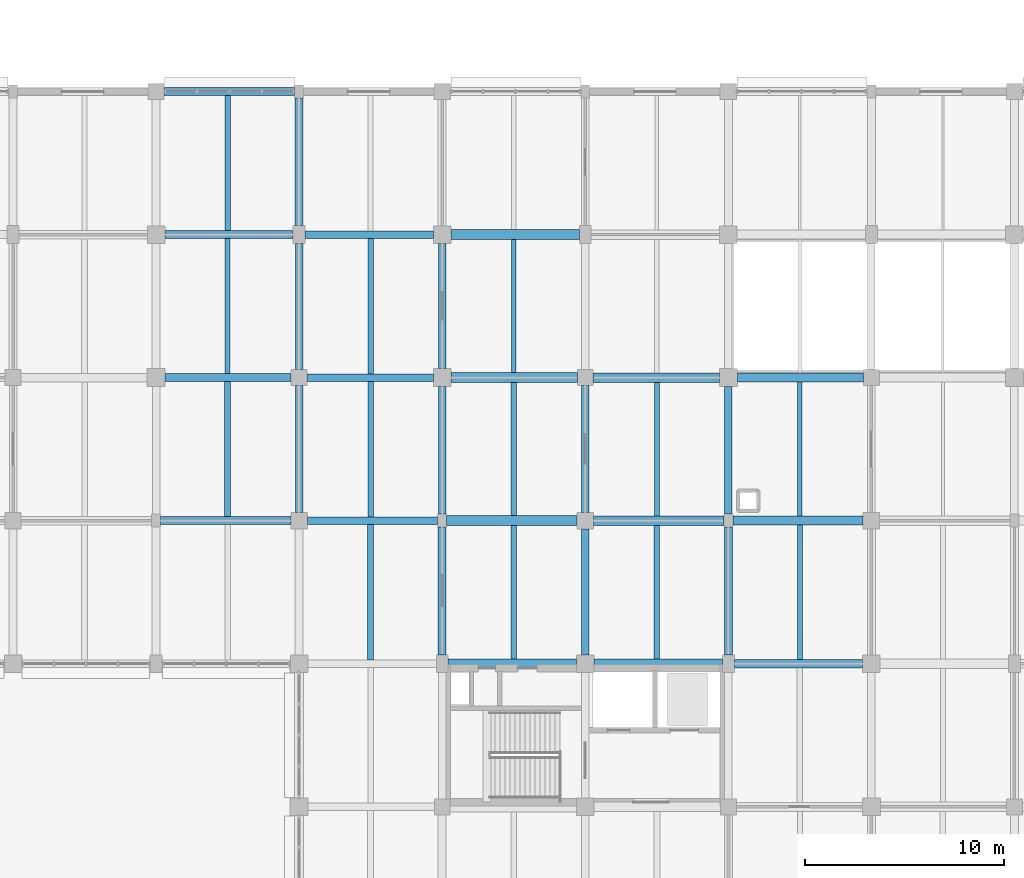
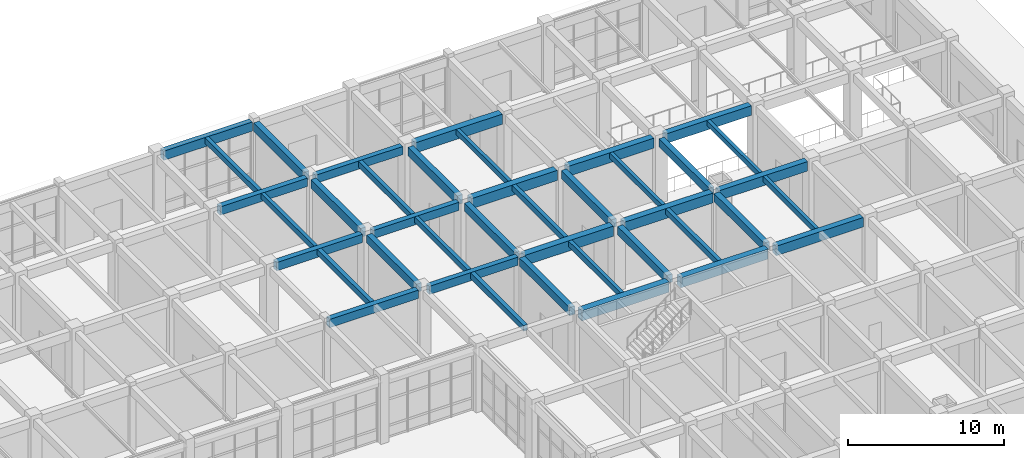
# One storey, part 103 of 160: 40 beams.
"""IFC4 building model written with IfcOpenShell, lengths in metres."""

import ifcopenshell
import ifcopenshell.guid

model = None  # the IFC model being written
_history = None  # IfcOwnerHistory: only IFC2X3 demands one
_inside = {}  # id of a spatial element -> (the spatial element, [elements in it])
_under = {}  # id of a project, library or spatial element -> (it, [spatial elements below it])
_declared = {}  # id of a project -> (the project, [libraries it declares])
_typed = {}  # id of a type object -> (the type object, [elements of that type])
_made_of = {}  # id of a material, layer set ... -> (it, [elements and type objects made of it])


def new_model(schema):
    """Start an empty IFC model of exactly this schema.

    Asked for "IFC4X3", IfcOpenShell would pick the latest addendum, in which some entities
    have other attributes; the version numbers below select the first issue.
    IFC2X3 requires an IfcOwnerHistory on every rooted entity: one is made here for all.
    """
    global model, _history
    if schema == "IFC4X3":
        model = ifcopenshell.file(schema_version=(4, 3, 0, 0))
    else:
        model = ifcopenshell.file(schema=schema)
    _inside.clear()
    _under.clear()
    _declared.clear()
    _typed.clear()
    _made_of.clear()
    _history = None
    if model.schema == "IFC2X3":
        org = make("IfcOrganization", Name="unknown")
        user = make(
            "IfcPersonAndOrganization",
            ThePerson=make("IfcPerson", FamilyName="unknown"),
            TheOrganization=org,
        )
        app = make(
            "IfcApplication",
            ApplicationDeveloper=org,
            Version="unknown",
            ApplicationFullName="unknown",
            ApplicationIdentifier="unknown",
        )
        _history = make(
            "IfcOwnerHistory",
            OwningUser=user,
            OwningApplication=app,
            ChangeAction="ADDED",
            CreationDate=0,
        )
    return model


def make(cls, **values):
    """One entity of the class cls with the attributes given. An attribute that is None is left unset."""
    return model.create_entity(
        cls, **{name: value for name, value in values.items() if value is not None}
    )


def rooted(cls, **values):
    """An entity with a GlobalId (a new one), such as an element, a storey or a relation."""
    return make(cls, GlobalId=ifcopenshell.guid.new(), OwnerHistory=_history, **values)


def si_unit(unit_type, name, prefix=None):
    """IfcSIUnit, for example si_unit("LENGTHUNIT", "METRE", prefix="MILLI")."""
    return make("IfcSIUnit", UnitType=unit_type, Prefix=prefix, Name=name)


def assignment(units):
    """IfcUnitAssignment: the units of a project."""
    return None if units is None else make("IfcUnitAssignment", Units=units)


def point(xyz):
    """IfcCartesianPoint."""
    return None if xyz is None else make("IfcCartesianPoint", Coordinates=xyz)


def direction(xyz):
    """IfcDirection."""
    return None if xyz is None else make("IfcDirection", DirectionRatios=xyz)


def frame(location, z_axis=None, x_axis=None):
    """IfcAxis2Placement3D, a coordinate frame: its origin and axes. An axis left out is left unset."""
    return make(
        "IfcAxis2Placement3D",
        Location=point(location),
        Axis=direction(z_axis),
        RefDirection=direction(x_axis),
    )


def frame_2d(location, x_axis=None):
    """IfcAxis2Placement2D, a coordinate frame in the plane: its origin and x axis."""
    return make(
        "IfcAxis2Placement2D", Location=point(location), RefDirection=direction(x_axis)
    )


def origin():
    """The frame at (0, 0, 0) with its axes left unset."""
    return frame((0.0, 0.0, 0.0))


def origin_2d():
    """The frame at (0, 0) in the plane with its x axis left unset."""
    return frame_2d((0.0, 0.0))


def place(relative_to, where):
    """IfcLocalPlacement: puts the frame where relative to a parent placement (None: the world)."""
    return make(
        "IfcLocalPlacement", PlacementRelTo=relative_to, RelativePlacement=where
    )


def context(
    kind, dimensions, precision=None, world=None, true_north=None, identifier=None
):
    """IfcGeometricRepresentationContext, for example the 3D "Model" context."""
    return make(
        "IfcGeometricRepresentationContext",
        ContextIdentifier=identifier,
        ContextType=kind,
        CoordinateSpaceDimension=dimensions,
        Precision=precision,
        WorldCoordinateSystem=world,
        TrueNorth=true_north,
    )


def subcontext(parent, identifier, kind, view, scale=None):
    """IfcGeometricRepresentationSubContext, for example "Body" below "Model"."""
    return make(
        "IfcGeometricRepresentationSubContext",
        ContextIdentifier=identifier,
        ContextType=kind,
        ParentContext=parent,
        TargetScale=scale,
        TargetView=view,
    )


def project(units=None, contexts=None):
    """IfcProject with its units and contexts."""
    return rooted(
        "IfcProject",
        Name="project",
        RepresentationContexts=contexts,
        UnitsInContext=assignment(units),
    )


def spatial(cls, under=None, at=None, **own):
    """A site, building, storey or space (cls), placed at a placement, below another one or the project."""
    s = rooted(cls, ObjectPlacement=at, **own)
    if under is not None:
        _under.setdefault(under.id(), (under, []))[1].append(s)
    return s


def profile(cls, at=None, kind="AREA", **sizes):
    """A parametric profile (cls). Its sizes go by their IFC names, for example OverallWidth=200.0."""
    return make(cls, ProfileType=kind, Position=at, **sizes)


def rectangle(**sizes):
    """IfcRectangleProfileDef."""
    return profile("IfcRectangleProfileDef", **sizes)


def extrude(swept, where, along, depth):
    """IfcExtrudedAreaSolid: the profile swept, set in the frame where, extruded along a direction by depth."""
    return make(
        "IfcExtrudedAreaSolid",
        SweptArea=swept,
        Position=where,
        ExtrudedDirection=direction(along),
        Depth=depth,
    )


def shape(context_of_items, identifier, shape_type, items):
    """IfcShapeRepresentation: the items that make up one representation, for example the "Body"."""
    return make(
        "IfcShapeRepresentation",
        ContextOfItems=context_of_items,
        RepresentationIdentifier=identifier,
        RepresentationType=shape_type,
        Items=items,
    )


def material(Name=None, Category=None):
    """IfcMaterial."""
    return make("IfcMaterial", Name=Name, Category=Category)


def material_profile(
    of_material, cross_section, Name=None, Category=None, Priority=None
):
    """IfcMaterialProfile: a cross section and its material."""
    return make(
        "IfcMaterialProfile",
        Name=Name,
        Material=of_material,
        Profile=cross_section,
        Priority=Priority,
        Category=Category,
    )


def profile_set(profiles, Name=None, composite=None):
    """IfcMaterialProfileSet."""
    return make(
        "IfcMaterialProfileSet",
        Name=Name,
        MaterialProfiles=profiles,
        CompositeProfile=composite,
    )


def made_of(thing, what):
    """Note that an element or type object is made of a material, layer set ...; save() writes the relation."""
    if what is not None:
        _made_of.setdefault(what.id(), (what, []))[1].append(thing)
    return thing


def type_object(cls, material=None, **own):
    """A type object (cls), such as IfcWallType, which elements share."""
    return made_of(rooted(cls, **own), material)


def element(
    cls,
    number,
    at=None,
    inside=None,
    cuts=None,
    type_object=None,
    material=None,
    context=None,
    identifier="Body",
    shape_type=None,
    held_by="IfcProductDefinitionShape",
    body=None,
    shapes=None,
    **own,
):
    """One element of the class cls, such as IfcWall. Its Tag is "e" and its number.

    at: its placement. inside: the storey or other place that contains it. cuts: it is an
    opening in that element (IfcRelVoidsElement). A single representation is given by context,
    identifier, shape_type and body (its items); several are given by shapes. held_by: the class
    of the entity that holds the representations. save() writes the other relations.
    """
    e = rooted(cls, Tag="e%d" % number, ObjectPlacement=at, **own)
    if body is not None:
        shapes = [shape(context, identifier, shape_type, body)]
    if shapes is not None:
        e.Representation = make(held_by, Representations=shapes)
    if inside is not None:
        _inside.setdefault(inside.id(), (inside, []))[1].append(e)
    if cuts is not None:
        rooted(
            "IfcRelVoidsElement", RelatingBuildingElement=cuts, RelatedOpeningElement=e
        )
    if type_object is not None:
        _typed.setdefault(type_object.id(), (type_object, []))[1].append(e)
    return made_of(e, material)


def aggregate(whole, parts):
    """IfcRelAggregates: a whole, such as a stair, and the parts it consists of."""
    return rooted("IfcRelAggregates", RelatingObject=whole, RelatedObjects=parts)


def save(model, path):
    """Write the relations noted so far, then the file.

    IfcRelAggregates (storeys below a building ...), IfcRelContainedInSpatialStructure (elements
    in a storey), IfcRelDefinesByType, IfcRelAssociatesMaterial and IfcRelDeclares: one each for
    every whole, place, type object, material and project.
    """
    for whole, parts in _under.values():
        aggregate(whole, parts)
    for where, things in _inside.values():
        rooted(
            "IfcRelContainedInSpatialStructure",
            RelatedElements=things,
            RelatingStructure=where,
        )
    for kind, things in _typed.values():
        rooted("IfcRelDefinesByType", RelatedObjects=things, RelatingType=kind)
    for what, things in _made_of.values():
        rooted("IfcRelAssociatesMaterial", RelatedObjects=things, RelatingMaterial=what)
    for by, libraries in _declared.values():
        rooted("IfcRelDeclares", RelatingContext=by, RelatedDefinitions=libraries)
    model.write(path)


model = new_model("IFC4")

# Units and contexts
model_context = context("Model", 3, precision=1e-05, world=origin(), true_north=direction((0.0, 1.0)))
body_context = subcontext(model_context, "Body", "Model", "MODEL_VIEW")
ifc_project = project(units=[si_unit("LENGTHUNIT", "METRE"), si_unit("AREAUNIT", "SQUARE_METRE"), si_unit("VOLUMEUNIT", "CUBIC_METRE"), si_unit("PLANEANGLEUNIT", "RADIAN"), si_unit("MASSUNIT", "GRAM", prefix="KILO")], contexts=[model_context])

# Site, building, storey
site_placement = place(None, origin())
site = spatial("IfcSite", under=ifc_project, at=site_placement, CompositionType="ELEMENT")
building_placement = place(site_placement, origin())
building = spatial("IfcBuilding", under=site, at=building_placement, Name="Thalmaran Polytechnic", CompositionType="ELEMENT")
storey_placement = place(building_placement, origin())
storey = spatial("IfcBuildingStorey", under=building, at=storey_placement, Name="L00", CompositionType="ELEMENT", Elevation=0.0)

# Beams
ifc_material = material(Name="Concrete C40/50", Category="concrete")
ifc_material_profile_1 = material_profile(ifc_material, rectangle(XDim=0.5, YDim=0.800048828125, at=origin_2d()), Name="RC 500x800")
ifc_profile_set_1 = profile_set([ifc_material_profile_1], Name="Concrete C40/50")
beam_type_1 = type_object("IfcBeamType", Name="BM-RC02", PredefinedType="BEAM", material=ifc_profile_set_1)
beam_1_placement = place(storey_placement, frame((137.10009765625, 93.60009765625, 4.68994140625), z_axis=(1.0, 0.0, 0.0), x_axis=(0.0, 1.0, 0.0)))
element("IfcBeam", 1, at=beam_1_placement, inside=storey, type_object=beam_type_1, Name="Grid Beam B02 L00 X(19,13)", PredefinedType="BEAM", context=body_context, shape_type="SweptSolid", body=[
    extrude(rectangle(XDim=0.5, YDim=0.800048828125, at=origin_2d()), origin(), (0.0, 0.0, 1.0), 6.4599609375),
])
beam_2_placement = place(storey_placement, frame((137.02490234375, 100.800048828125, 4.68994140625), z_axis=(1.0, 0.0, 0.0), x_axis=(0.0, 1.0, 0.0)))
element("IfcBeam", 2, at=beam_2_placement, inside=storey, type_object=beam_type_1, Name="Grid Beam B02 L00 X(19,14)", PredefinedType="BEAM", context=body_context, shape_type="SweptSolid", body=[
    extrude(rectangle(XDim=0.5, YDim=0.800048828125, at=origin_2d()), origin(), (0.0, 0.0, 1.0), 6.565185546875),
])
beam_3_placement = place(storey_placement, frame((137.25, 108.0, 4.68994140625), z_axis=(1.0, 0.0, 0.0), x_axis=(0.0, 1.0, 0.0)))
element("IfcBeam", 3, at=beam_3_placement, inside=storey, type_object=beam_type_1, Name="Grid Beam B02 L00 X(19,15)", PredefinedType="BEAM", context=body_context, shape_type="SweptSolid", body=[
    extrude(rectangle(XDim=0.5, YDim=0.800048828125, at=origin_2d()), origin(), (0.0, 0.0, 1.0), 6.35009765625),
])
beam_4_placement = place(storey_placement, frame((137.239990234375, 115.199951171875, 4.68994140625), z_axis=(1.0, 0.0, 0.0), x_axis=(0.0, 1.0, 0.0)))
element("IfcBeam", 4, at=beam_4_placement, inside=storey, type_object=beam_type_1, Name="Grid Beam B02 L00 X(19,16)", PredefinedType="BEAM", context=body_context, shape_type="SweptSolid", body=[
    extrude(rectangle(XDim=0.5, YDim=0.800048828125, at=origin_2d()), origin(), (0.0, 0.0, 1.0), 6.4599609375),
])
ifc_material_profile_2 = material_profile(ifc_material, rectangle(XDim=0.449951171875, YDim=0.75, at=origin_2d()), Name="RC 450x750")
ifc_profile_set_2 = profile_set([ifc_material_profile_2], Name="Concrete C40/50")
beam_type_2 = type_object("IfcBeamType", Name="BM-RC03", PredefinedType="BEAM", material=ifc_profile_set_2)
beam_5_placement = place(storey_placement, frame((151.5, 93.60009765625, 4.715087890625), z_axis=(1.0, 0.0, 0.0), x_axis=(0.0, 1.0, 0.0)))
element("IfcBeam", 5, at=beam_5_placement, inside=storey, type_object=beam_type_2, Name="Grid Beam B03 L00 X(21,13)", PredefinedType="BEAM", context=body_context, shape_type="SweptSolid", body=[
    extrude(rectangle(XDim=0.449951171875, YDim=0.75, at=origin_2d()), origin(), (0.0, 0.0, 1.0), 6.4599609375),
])
beam_6_placement = place(storey_placement, frame((151.425048828125, 100.800048828125, 4.715087890625), z_axis=(1.0, 0.0, 0.0), x_axis=(0.0, 1.0, 0.0)))
element("IfcBeam", 6, at=beam_6_placement, inside=storey, type_object=beam_type_2, Name="Grid Beam B03 L00 X(21,14)", PredefinedType="BEAM", context=body_context, shape_type="SweptSolid", body=[
    extrude(rectangle(XDim=0.449951171875, YDim=0.75, at=origin_2d()), origin(), (0.0, 0.0, 1.0), 6.56494140625),
])
beam_7_placement = place(storey_placement, frame((151.64990234375, 108.0, 4.715087890625), z_axis=(1.0, 0.0, 0.0), x_axis=(0.0, 1.0, 0.0)))
element("IfcBeam", 7, at=beam_7_placement, inside=storey, type_object=beam_type_2, Name="Grid Beam B03 L00 X(21,15)", PredefinedType="BEAM", context=body_context, shape_type="SweptSolid", body=[
    extrude(rectangle(XDim=0.449951171875, YDim=0.75, at=origin_2d()), origin(), (0.0, 0.0, 1.0), 6.35009765625),
])
ifc_material_profile_3 = material_profile(ifc_material, rectangle(XDim=0.39990234375, YDim=0.64990234375, at=origin_2d()), Name="RC 400x650")
ifc_profile_set_3 = profile_set([ifc_material_profile_3], Name="Concrete C40/50")
beam_type_3 = type_object("IfcBeamType", Name="BM-RC06", PredefinedType="BEAM", material=ifc_profile_set_3)
beam_8_placement = place(storey_placement, frame((122.625, 100.800048828125, 4.764892578125), z_axis=(1.0, 0.0, 0.0), x_axis=(0.0, 1.0, 0.0)))
element("IfcBeam", 8, at=beam_8_placement, inside=storey, type_object=beam_type_3, Name="Grid Beam B06 L00 X(17,14)", PredefinedType="BEAM", context=body_context, shape_type="SweptSolid", body=[
    extrude(rectangle(XDim=0.39990234375, YDim=0.64990234375, at=origin_2d()), origin(), (0.0, 0.0, 1.0), 6.56494140625),
])
beam_9_placement = place(storey_placement, frame((122.85009765625, 108.0, 4.764892578125), z_axis=(1.0, 0.0, 0.0), x_axis=(0.0, 1.0, 0.0)))
element("IfcBeam", 9, at=beam_9_placement, inside=storey, type_object=beam_type_3, Name="Grid Beam B06 L00 X(17,15)", PredefinedType="BEAM", context=body_context, shape_type="SweptSolid", body=[
    extrude(rectangle(XDim=0.39990234375, YDim=0.64990234375, at=origin_2d()), origin(), (0.0, 0.0, 1.0), 6.349853515625),
])
beam_10_placement = place(storey_placement, frame((122.840087890625, 115.199951171875, 4.764892578125), z_axis=(1.0, 0.0, 0.0), x_axis=(0.0, 1.0, 0.0)))
element("IfcBeam", 10, at=beam_10_placement, inside=storey, type_object=beam_type_3, Name="Grid Beam B06 L00 X(17,16)", PredefinedType="BEAM", context=body_context, shape_type="SweptSolid", body=[
    extrude(rectangle(XDim=0.39990234375, YDim=0.64990234375, at=origin_2d()), origin(), (0.0, 0.0, 1.0), 6.4599609375),
])
ifc_material_profile_4 = material_profile(ifc_material, rectangle(XDim=0.39990234375, YDim=0.6298828125, at=origin_2d()), Name="RC 400x630")
ifc_profile_set_4 = profile_set([ifc_material_profile_4], Name="Concrete C40/50")
beam_type_4 = type_object("IfcBeamType", Name="BM-RC07", PredefinedType="BEAM", material=ifc_profile_set_4)
beam_11_placement = place(storey_placement, frame((136.800048828125, 94.050048828125, 4.77490234375), z_axis=(0.0, 1.0, 0.0), x_axis=(-1.0, 0.0, 0.0)))
element("IfcBeam", 11, at=beam_11_placement, inside=storey, type_object=beam_type_4, Name="Grid Beam B07 L00 Y(19,13)", PredefinedType="BEAM", context=body_context, shape_type="SweptSolid", body=[
    extrude(rectangle(XDim=0.39990234375, YDim=0.6298828125, at=origin_2d()), origin(), (0.0, 0.0, 1.0), 6.425048828125),
])
beam_12_placement = place(storey_placement, frame((144.0, 94.0400390625, 4.77490234375), z_axis=(0.0, 1.0, 0.0), x_axis=(-1.0, 0.0, 0.0)))
element("IfcBeam", 12, at=beam_12_placement, inside=storey, type_object=beam_type_4, Name="Grid Beam B07 L00 Y(20,13)", PredefinedType="BEAM", context=body_context, shape_type="SweptSolid", body=[
    extrude(rectangle(XDim=0.39990234375, YDim=0.6298828125, at=origin_2d()), origin(), (0.0, 0.0, 1.0), 6.349853515625),
])
beam_13_placement = place(storey_placement, frame((151.199951171875, 94.050048828125, 4.77490234375), z_axis=(0.0, 1.0, 0.0), x_axis=(-1.0, 0.0, 0.0)))
element("IfcBeam", 13, at=beam_13_placement, inside=storey, type_object=beam_type_4, Name="Grid Beam B07 L00 Y(21,13)", PredefinedType="BEAM", context=body_context, shape_type="SweptSolid", body=[
    extrude(rectangle(XDim=0.39990234375, YDim=0.6298828125, at=origin_2d()), origin(), (0.0, 0.0, 1.0), 6.425048828125),
])
ifc_material_profile_5 = material_profile(ifc_material, rectangle(XDim=0.389892578125, YDim=0.68505859375, at=origin_2d()), Name="RC 390x685")
ifc_profile_set_5 = profile_set([ifc_material_profile_5], Name="Concrete C40/50")
beam_type_5 = type_object("IfcBeamType", Name="BM-RC08", PredefinedType="BEAM", material=ifc_profile_set_5)
beam_14_placement = place(storey_placement, frame((129.60009765625, 108.39990234375, 4.74755859375), z_axis=(0.0, 1.0, 0.0), x_axis=(-1.0, 0.0, 0.0)))
element("IfcBeam", 14, at=beam_14_placement, inside=storey, type_object=beam_type_5, Name="Grid Beam B08 L00 Y(18,15)", PredefinedType="BEAM", context=body_context, shape_type="SweptSolid", body=[
    extrude(rectangle(XDim=0.389892578125, YDim=0.68505859375, at=origin_2d()), origin(), (0.0, 0.0, 1.0), 6.35009765625),
])
beam_15_placement = place(storey_placement, frame((136.800048828125, 108.449951171875, 4.74755859375), z_axis=(0.0, 1.0, 0.0), x_axis=(-1.0, 0.0, 0.0)))
element("IfcBeam", 15, at=beam_15_placement, inside=storey, type_object=beam_type_5, Name="Grid Beam B08 L00 Y(19,15)", PredefinedType="BEAM", context=body_context, shape_type="SweptSolid", body=[
    extrude(rectangle(XDim=0.389892578125, YDim=0.68505859375, at=origin_2d()), origin(), (0.0, 0.0, 1.0), 6.31005859375),
])
ifc_material_profile_6 = material_profile(ifc_material, rectangle(XDim=0.300048828125, YDim=0.449951171875, at=origin_2d()), Name="RC 300x450")
ifc_profile_set_6 = profile_set([ifc_material_profile_6], Name="Concrete C40/50")
beam_type_6 = type_object("IfcBeamType", Name="BM-RC12", PredefinedType="JOIST", material=ifc_profile_set_6)
beam_16_placement = place(storey_placement, frame((126.0, 101.0, 4.864990234375), z_axis=(0.0, 1.0, 0.0), x_axis=(-1.0, 0.0, 0.0)))
element("IfcBeam", 16, at=beam_16_placement, inside=storey, type_object=beam_type_6, Name="Secondary Floor Rib RB02 L00 (17,14)", PredefinedType="JOIST", context=body_context, shape_type="SweptSolid", body=[
    extrude(rectangle(XDim=0.300048828125, YDim=0.449951171875, at=origin_2d()), origin(), (0.0, 0.0, 1.0), 6.800048828125),
])
beam_17_placement = place(storey_placement, frame((133.199951171875, 93.7900390625, 4.864990234375), z_axis=(0.0, 1.0, 0.0), x_axis=(-1.0, 0.0, 0.0)))
element("IfcBeam", 17, at=beam_17_placement, inside=storey, type_object=beam_type_6, Name="Secondary Floor Rib RB02 L00 (18,13)", PredefinedType="JOIST", context=body_context, shape_type="SweptSolid", body=[
    extrude(rectangle(XDim=0.300048828125, YDim=0.449951171875, at=origin_2d()), origin(), (0.0, 0.0, 1.0), 6.820068359375),
])
ifc_material_profile_7 = material_profile(ifc_material, rectangle(XDim=0.280029296875, YDim=0.449951171875, at=origin_2d()), Name="RC 280x450")
ifc_profile_set_7 = profile_set([ifc_material_profile_7], Name="Concrete C40/50")
beam_type_7 = type_object("IfcBeamType", Name="BM-RC13", PredefinedType="JOIST", material=ifc_profile_set_7)
beam_18_placement = place(storey_placement, frame((126.0, 115.39990234375, 4.864990234375), z_axis=(0.0, 1.0, 0.0), x_axis=(-1.0, 0.0, 0.0)))
element("IfcBeam", 18, at=beam_18_placement, inside=storey, type_object=beam_type_7, Name="Secondary Floor Rib RB03 L00 (17,16)", PredefinedType="JOIST", context=body_context, shape_type="SweptSolid", body=[
    extrude(rectangle(XDim=0.280029296875, YDim=0.449951171875, at=origin_2d()), origin(), (0.0, 0.0, 1.0), 6.800048828125),
])
beam_19_placement = place(storey_placement, frame((133.199951171875, 108.18994140625, 4.864990234375), z_axis=(0.0, 1.0, 0.0), x_axis=(-1.0, 0.0, 0.0)))
element("IfcBeam", 19, at=beam_19_placement, inside=storey, type_object=beam_type_7, Name="Secondary Floor Rib RB03 L00 (18,15)", PredefinedType="JOIST", context=body_context, shape_type="SweptSolid", body=[
    extrude(rectangle(XDim=0.280029296875, YDim=0.449951171875, at=origin_2d()), origin(), (0.0, 0.0, 1.0), 6.820068359375),
])
beam_20_placement = place(storey_placement, frame((140.39990234375, 101.050048828125, 4.864990234375), z_axis=(0.0, 1.0, 0.0), x_axis=(-1.0, 0.0, 0.0)))
element("IfcBeam", 20, at=beam_20_placement, inside=storey, type_object=beam_type_7, Name="Secondary Floor Rib RB03 L00 (19,14)", PredefinedType="JOIST", context=body_context, shape_type="SweptSolid", body=[
    extrude(rectangle(XDim=0.280029296875, YDim=0.449951171875, at=origin_2d()), origin(), (0.0, 0.0, 1.0), 6.699951171875),
])
beam_21_placement = place(storey_placement, frame((147.60009765625, 93.840087890625, 4.864990234375), z_axis=(0.0, 1.0, 0.0), x_axis=(-1.0, 0.0, 0.0)))
element("IfcBeam", 21, at=beam_21_placement, inside=storey, type_object=beam_type_7, Name="Secondary Floor Rib RB03 L00 (20,13)", PredefinedType="JOIST", context=body_context, shape_type="SweptSolid", body=[
    extrude(rectangle(XDim=0.280029296875, YDim=0.449951171875, at=origin_2d()), origin(), (0.0, 0.0, 1.0), 6.719970703125),
])
ifc_material_profile_8 = material_profile(ifc_material, rectangle(XDim=0.39990234375, YDim=0.719970703125, at=origin_2d()), Name="RC 400x720")
ifc_profile_set_8 = profile_set([ifc_material_profile_8], Name="Concrete C40/50")
beam_type_8 = type_object("IfcBeamType", Name="BM-SP01", PredefinedType="SPANDREL", material=ifc_profile_set_8)
beam_22_placement = place(storey_placement, frame((122.81005859375, 122.39990234375, 4.72998046875), z_axis=(1.0, 0.0, 0.0), x_axis=(0.0, 1.0, 0.0)))
element("IfcBeam", 22, at=beam_22_placement, inside=storey, type_object=beam_type_8, Name="Grid Beam SP01 L00 X(17,17)", PredefinedType="SPANDREL", context=body_context, shape_type="SweptSolid", body=[
    extrude(rectangle(XDim=0.39990234375, YDim=0.719970703125, at=origin_2d()), origin(), (0.0, 0.0, 1.0), 6.56494140625),
])
ifc_material_profile_9 = material_profile(ifc_material, rectangle(XDim=0.47998046875, YDim=0.780029296875, at=origin_2d()), Name="RC 480x780")
ifc_profile_set_9 = profile_set([ifc_material_profile_9], Name="Concrete C40/50")
beam_type_9 = type_object("IfcBeamType", Name="BM-ZB01", PredefinedType="BEAM", material=ifc_profile_set_9)
beam_23_placement = place(storey_placement, frame((144.43994140625, 93.60009765625, 4.699951171875), z_axis=(1.0, 0.0, 0.0), x_axis=(0.0, 1.0, 0.0)))
element("IfcBeam", 23, at=beam_23_placement, inside=storey, type_object=beam_type_9, Name="Grid Beam ZB01 L00 X(20,13)", PredefinedType="BEAM", context=body_context, shape_type="SweptSolid", body=[
    extrude(rectangle(XDim=0.47998046875, YDim=0.780029296875, at=origin_2d()), origin(), (0.0, 0.0, 1.0), 6.4599609375),
])
beam_24_placement = place(storey_placement, frame((144.409912109375, 100.800048828125, 4.699951171875), z_axis=(1.0, 0.0, 0.0), x_axis=(0.0, 1.0, 0.0)))
element("IfcBeam", 24, at=beam_24_placement, inside=storey, type_object=beam_type_9, Name="Grid Beam ZB01 L00 X(20,14)", PredefinedType="BEAM", context=body_context, shape_type="SweptSolid", body=[
    extrude(rectangle(XDim=0.47998046875, YDim=0.780029296875, at=origin_2d()), origin(), (0.0, 0.0, 1.0), 6.565185546875),
])
beam_25_placement = place(storey_placement, frame((144.39990234375, 108.0, 4.699951171875), z_axis=(1.0, 0.0, 0.0), x_axis=(0.0, 1.0, 0.0)))
element("IfcBeam", 25, at=beam_25_placement, inside=storey, type_object=beam_type_9, Name="Grid Beam ZB01 L00 X(20,15)", PredefinedType="BEAM", context=body_context, shape_type="SweptSolid", body=[
    extrude(rectangle(XDim=0.47998046875, YDim=0.780029296875, at=origin_2d()), origin(), (0.0, 0.0, 1.0), 6.35009765625),
])
ifc_material_profile_10 = material_profile(ifc_material, rectangle(XDim=0.3798828125, YDim=0.639892578125, at=origin_2d()), Name="RC 380x640")
ifc_profile_set_10 = profile_set([ifc_material_profile_10], Name="Concrete C40/50")
beam_type_10 = type_object("IfcBeamType", Name="BM-ZB05", PredefinedType="BEAM", material=ifc_profile_set_10)
beam_26_placement = place(storey_placement, frame((130.010009765625, 100.800048828125, 4.77001953125), z_axis=(1.0, 0.0, 0.0), x_axis=(0.0, 1.0, 0.0)))
element("IfcBeam", 26, at=beam_26_placement, inside=storey, type_object=beam_type_10, Name="Grid Beam ZB05 L00 X(18,14)", PredefinedType="BEAM", context=body_context, shape_type="SweptSolid", body=[
    extrude(rectangle(XDim=0.3798828125, YDim=0.639892578125, at=origin_2d()), origin(), (0.0, 0.0, 1.0), 6.56494140625),
])
beam_27_placement = place(storey_placement, frame((130.0, 108.0, 4.77001953125), z_axis=(1.0, 0.0, 0.0), x_axis=(0.0, 1.0, 0.0)))
element("IfcBeam", 27, at=beam_27_placement, inside=storey, type_object=beam_type_10, Name="Grid Beam ZB05 L00 X(18,15)", PredefinedType="BEAM", context=body_context, shape_type="SweptSolid", body=[
    extrude(rectangle(XDim=0.3798828125, YDim=0.639892578125, at=origin_2d()), origin(), (0.0, 0.0, 1.0), 6.35009765625),
])
beam_28_placement = place(storey_placement, frame((129.89990234375, 115.199951171875, 4.77001953125), z_axis=(1.0, 0.0, 0.0), x_axis=(0.0, 1.0, 0.0)))
element("IfcBeam", 28, at=beam_28_placement, inside=storey, type_object=beam_type_10, Name="Grid Beam ZB05 L00 X(18,16)", PredefinedType="BEAM", context=body_context, shape_type="SweptSolid", body=[
    extrude(rectangle(XDim=0.3798828125, YDim=0.639892578125, at=origin_2d()), origin(), (0.0, 0.0, 1.0), 6.460205078125),
])
ifc_material_profile_11 = material_profile(ifc_material, rectangle(XDim=0.3798828125, YDim=0.635009765625, at=origin_2d()), Name="RC 380x635")
ifc_profile_set_11 = profile_set([ifc_material_profile_11], Name="Concrete C40/50")
beam_type_11 = type_object("IfcBeamType", Name="BM-ZB06", PredefinedType="BEAM", material=ifc_profile_set_11)
beam_29_placement = place(storey_placement, frame((129.60009765625, 101.2099609375, 4.7724609375), z_axis=(0.0, 1.0, 0.0), x_axis=(-1.0, 0.0, 0.0)))
element("IfcBeam", 29, at=beam_29_placement, inside=storey, type_object=beam_type_11, Name="Grid Beam ZB06 L00 Y(18,14)", PredefinedType="BEAM", context=body_context, shape_type="SweptSolid", body=[
    extrude(rectangle(XDim=0.3798828125, YDim=0.635009765625, at=origin_2d()), origin(), (0.0, 0.0, 1.0), 6.39013671875),
])
beam_30_placement = place(storey_placement, frame((136.800048828125, 101.125, 4.7724609375), z_axis=(0.0, 1.0, 0.0), x_axis=(-1.0, 0.0, 0.0)))
element("IfcBeam", 30, at=beam_30_placement, inside=storey, type_object=beam_type_11, Name="Grid Beam ZB06 L00 Y(19,14)", PredefinedType="BEAM", context=body_context, shape_type="SweptSolid", body=[
    extrude(rectangle(XDim=0.3798828125, YDim=0.635009765625, at=origin_2d()), origin(), (0.0, 0.0, 1.0), 6.425048828125),
])
beam_31_placement = place(storey_placement, frame((144.0, 101.2099609375, 4.7724609375), z_axis=(0.0, 1.0, 0.0), x_axis=(-1.0, 0.0, 0.0)))
element("IfcBeam", 31, at=beam_31_placement, inside=storey, type_object=beam_type_11, Name="Grid Beam ZB06 L00 Y(20,14)", PredefinedType="BEAM", context=body_context, shape_type="SweptSolid", body=[
    extrude(rectangle(XDim=0.3798828125, YDim=0.635009765625, at=origin_2d()), origin(), (0.0, 0.0, 1.0), 6.39013671875),
])
beam_32_placement = place(storey_placement, frame((151.199951171875, 101.125, 4.7724609375), z_axis=(0.0, 1.0, 0.0), x_axis=(-1.0, 0.0, 0.0)))
element("IfcBeam", 32, at=beam_32_placement, inside=storey, type_object=beam_type_11, Name="Grid Beam ZB06 L00 Y(21,14)", PredefinedType="BEAM", context=body_context, shape_type="SweptSolid", body=[
    extrude(rectangle(XDim=0.3798828125, YDim=0.635009765625, at=origin_2d()), origin(), (0.0, 0.0, 1.0), 6.425048828125),
])
ifc_material_profile_12 = material_profile(ifc_material, rectangle(XDim=0.39990234375, YDim=0.68505859375, at=origin_2d()), Name="RC 400x685")
ifc_profile_set_12 = profile_set([ifc_material_profile_12], Name="Concrete C40/50")
beam_type_12 = type_object("IfcBeamType", Name="BM-ZB07", PredefinedType="BEAM", material=ifc_profile_set_12)
beam_33_placement = place(storey_placement, frame((129.60009765625, 115.64990234375, 4.74755859375), z_axis=(0.0, 1.0, 0.0), x_axis=(-1.0, 0.0, 0.0)))
element("IfcBeam", 33, at=beam_33_placement, inside=storey, type_object=beam_type_12, Name="Grid Beam ZB07 L00 Y(18,16)", PredefinedType="BEAM", context=body_context, shape_type="SweptSolid", body=[
    extrude(rectangle(XDim=0.39990234375, YDim=0.68505859375, at=origin_2d()), origin(), (0.0, 0.0, 1.0), 6.425048828125),
])
ifc_material_profile_13 = material_profile(ifc_material, rectangle(XDim=0.260009765625, YDim=0.43994140625, at=origin_2d()), Name="RC 260x440")
ifc_profile_set_13 = profile_set([ifc_material_profile_13], Name="Concrete C40/50")
beam_type_13 = type_object("IfcBeamType", Name="BM-ZJ02", PredefinedType="JOIST", material=ifc_profile_set_13)
beam_34_placement = place(storey_placement, frame((126.0, 108.199951171875, 4.8701171875), z_axis=(0.0, 1.0, 0.0), x_axis=(-1.0, 0.0, 0.0)))
element("IfcBeam", 34, at=beam_34_placement, inside=storey, type_object=beam_type_13, Name="Secondary Floor Rib ZJ02 L00 (17,15)", PredefinedType="JOIST", context=body_context, shape_type="SweptSolid", body=[
    extrude(rectangle(XDim=0.260009765625, YDim=0.43994140625, at=origin_2d()), origin(), (0.0, 0.0, 1.0), 6.800048828125),
])
beam_35_placement = place(storey_placement, frame((133.199951171875, 100.989990234375, 4.8701171875), z_axis=(0.0, 1.0, 0.0), x_axis=(-1.0, 0.0, 0.0)))
element("IfcBeam", 35, at=beam_35_placement, inside=storey, type_object=beam_type_13, Name="Secondary Floor Rib ZJ02 L00 (18,14)", PredefinedType="JOIST", context=body_context, shape_type="SweptSolid", body=[
    extrude(rectangle(XDim=0.260009765625, YDim=0.43994140625, at=origin_2d()), origin(), (0.0, 0.0, 1.0), 6.820068359375),
])
beam_36_placement = place(storey_placement, frame((140.39990234375, 93.85009765625, 4.8701171875), z_axis=(0.0, 1.0, 0.0), x_axis=(-1.0, 0.0, 0.0)))
element("IfcBeam", 36, at=beam_36_placement, inside=storey, type_object=beam_type_13, Name="Secondary Floor Rib ZJ02 L00 (19,13)", PredefinedType="JOIST", context=body_context, shape_type="SweptSolid", body=[
    extrude(rectangle(XDim=0.260009765625, YDim=0.43994140625, at=origin_2d()), origin(), (0.0, 0.0, 1.0), 6.699951171875),
])
ifc_material_profile_14 = material_profile(ifc_material, rectangle(XDim=0.25, YDim=0.419921875, at=origin_2d()), Name="RC 250x420")
ifc_profile_set_14 = profile_set([ifc_material_profile_14], Name="Concrete C40/50")
beam_type_14 = type_object("IfcBeamType", Name="BM-ZJ03", PredefinedType="JOIST", material=ifc_profile_set_14)
beam_37_placement = place(storey_placement, frame((140.39990234375, 108.25, 4.8798828125), z_axis=(0.0, 1.0, 0.0), x_axis=(-1.0, 0.0, 0.0)))
element("IfcBeam", 37, at=beam_37_placement, inside=storey, type_object=beam_type_14, Name="Secondary Floor Rib ZJ03 L00 (19,15)", PredefinedType="JOIST", context=body_context, shape_type="SweptSolid", body=[
    extrude(rectangle(XDim=0.25, YDim=0.419921875, at=origin_2d()), origin(), (0.0, 0.0, 1.0), 6.699951171875),
])
beam_38_placement = place(storey_placement, frame((147.60009765625, 101.0400390625, 4.8798828125), z_axis=(0.0, 1.0, 0.0), x_axis=(-1.0, 0.0, 0.0)))
element("IfcBeam", 38, at=beam_38_placement, inside=storey, type_object=beam_type_14, Name="Secondary Floor Rib ZJ03 L00 (20,14)", PredefinedType="JOIST", context=body_context, shape_type="SweptSolid", body=[
    extrude(rectangle(XDim=0.25, YDim=0.419921875, at=origin_2d()), origin(), (0.0, 0.0, 1.0), 6.719970703125),
])
beam_39_placement = place(storey_placement, frame((154.800048828125, 93.824951171875, 4.8798828125), z_axis=(0.0, 1.0, 0.0), x_axis=(-1.0, 0.0, 0.0)))
element("IfcBeam", 39, at=beam_39_placement, inside=storey, type_object=beam_type_14, Name="Secondary Floor Rib ZJ03 L00 (21,13)", PredefinedType="JOIST", context=body_context, shape_type="SweptSolid", body=[
    extrude(rectangle(XDim=0.25, YDim=0.419921875, at=origin_2d()), origin(), (0.0, 0.0, 1.0), 6.75),
])
ifc_material_profile_15 = material_profile(ifc_material, rectangle(XDim=0.239990234375, YDim=0.39990234375, at=origin_2d()), Name="RC 240x400")
ifc_profile_set_15 = profile_set([ifc_material_profile_15], Name="Concrete C40/50")
beam_type_15 = type_object("IfcBeamType", Name="BM-ZJ04", PredefinedType="JOIST", material=ifc_profile_set_15)
beam_40_placement = place(storey_placement, frame((154.800048828125, 101.02490234375, 4.889892578125), z_axis=(0.0, 1.0, 0.0), x_axis=(-1.0, 0.0, 0.0)))
element("IfcBeam", 40, at=beam_40_placement, inside=storey, type_object=beam_type_15, Name="Secondary Floor Rib ZJ04 L00 (21,14)", PredefinedType="JOIST", context=body_context, shape_type="SweptSolid", body=[
    extrude(rectangle(XDim=0.239990234375, YDim=0.39990234375, at=origin_2d()), origin(), (0.0, 0.0, 1.0), 6.75),
])

save(model, "model.ifc")
